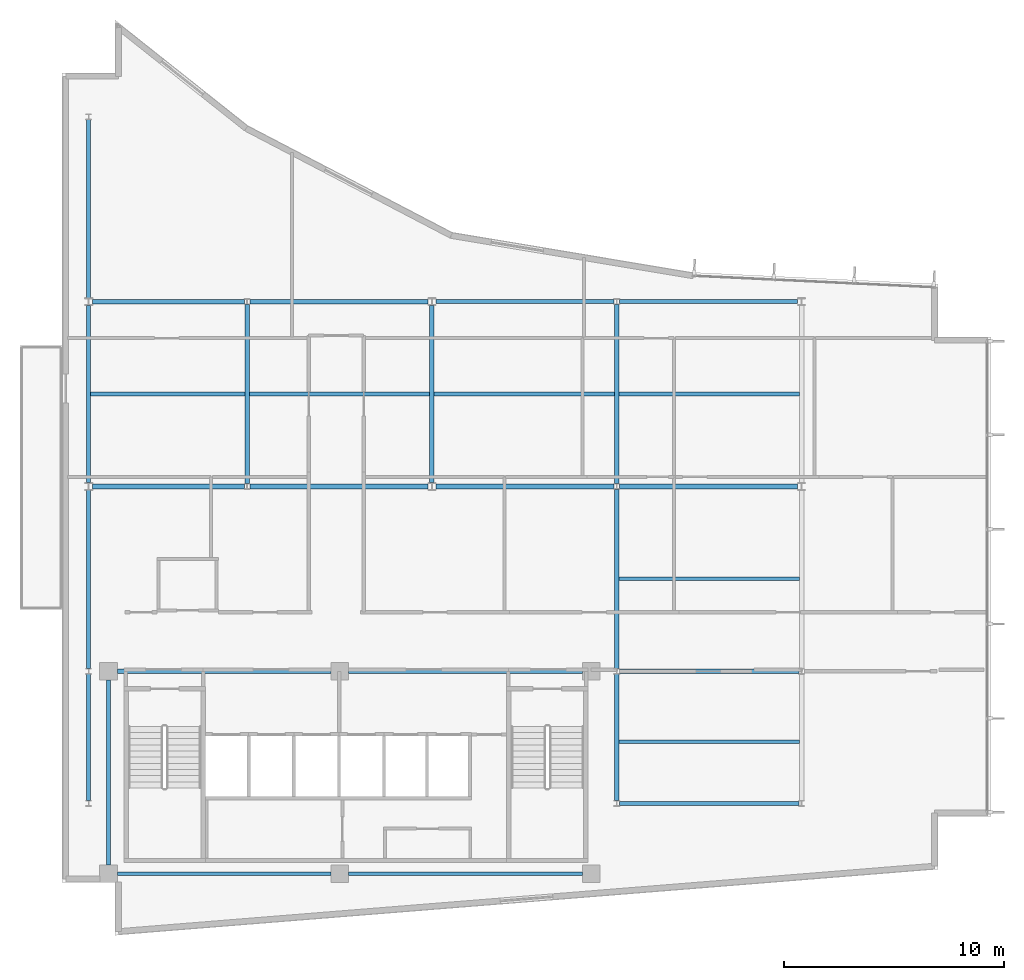
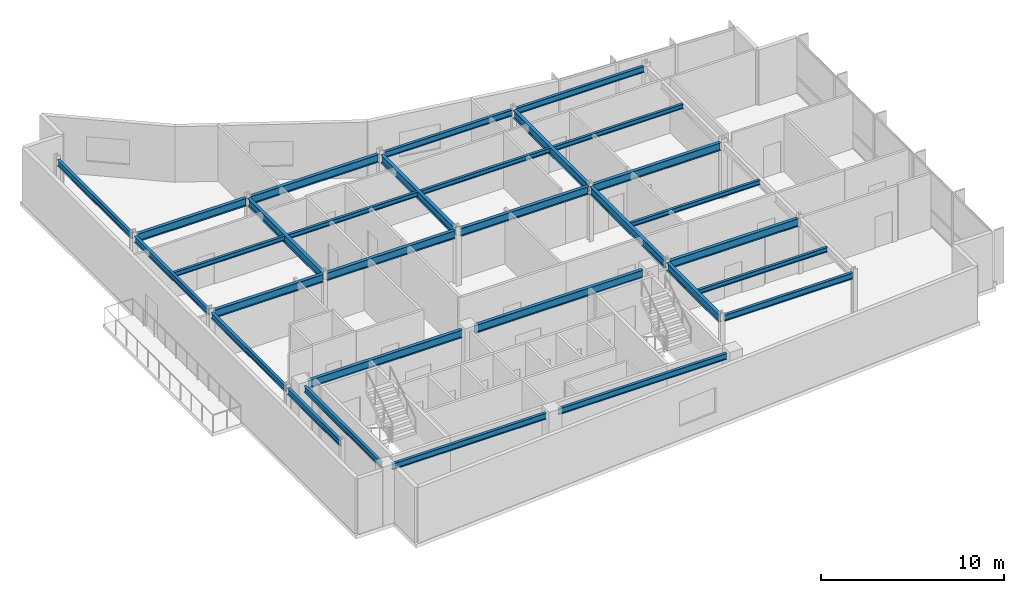
# One storey, part 5 of 16: 30 beams.
"""IFC4 building model written with IfcOpenShell, lengths in metres."""

from ifc_helpers import new_model, si_unit, direction, frame, origin, origin_2d, place, context, subcontext, project, spatial, i_section, extrude, material, material_profile, profile_set, type_object, element, save


model = new_model("IFC4")

# Units and contexts
model_context = context("Model", 3, precision=1e-05, world=origin(), true_north=direction((0.0, 1.0)))
body_context = subcontext(model_context, "Body", "Model", "MODEL_VIEW")
ifc_project = project(units=[si_unit("LENGTHUNIT", "METRE"), si_unit("AREAUNIT", "SQUARE_METRE"), si_unit("VOLUMEUNIT", "CUBIC_METRE"), si_unit("PLANEANGLEUNIT", "RADIAN"), si_unit("MASSUNIT", "GRAM", prefix="KILO")], contexts=[model_context])

# Site, building, storey
site_placement = place(None, origin())
site = spatial("IfcSite", under=ifc_project, at=site_placement, CompositionType="ELEMENT")
building_placement = place(site_placement, origin())
building = spatial("IfcBuilding", under=site, at=building_placement, Name="Varnakote Quay Hospital", CompositionType="ELEMENT")
storey_placement = place(building_placement, frame((0.0, 0.0, 268.39990234375)))
storey = spatial("IfcBuildingStorey", under=building, at=storey_placement, Name="L66", CompositionType="ELEMENT", Elevation=268.39990234375)

# Beams
ifc_material_1 = material(Name="Structural steel AS/NZS 3679.1 Grade 350 L0 (fy 340 MPa)", Category="steel")
ifc_material_profile_1 = material_profile(ifc_material_1, i_section(OverallWidth=0.208984375, OverallDepth=0.528076171875, WebThickness=0.009521484375, FlangeThickness=0.01318359375, FilletRadius=0.013916015625, at=origin_2d()), Name="530UB82.0")
ifc_profile_set_1 = profile_set([ifc_material_profile_1], Name="Structural steel AS/NZS 3679.1 Grade 350 L0 (fy 340 MPa)")
beam_type_1 = type_object("IfcBeamType", Name="BM-STL-530UB82-0", PredefinedType="BEAM", material=ifc_profile_set_1)
beam_1_placement = place(storey_placement, frame((2.5, 12.0, 3.446044921875), z_axis=(1.0, 0.0, 0.0), x_axis=(0.0, 1.0, 0.0)))
element("IfcBeam", 1, at=beam_1_placement, inside=storey, type_object=beam_type_1, Name="L66 Primary Floor Beam", PredefinedType="BEAM", context=body_context, shape_type="SweptSolid", body=[
    extrude(i_section(OverallWidth=0.208984375, OverallDepth=0.528076171875, WebThickness=0.009521484375, FlangeThickness=0.01318359375, FilletRadius=0.013916015625, at=origin_2d()), origin(), (0.0, 0.0, 1.0), 9.719970703125),
])
beam_2_placement = place(storey_placement, frame((13.02001953125, 12.0, 3.446044921875), z_axis=(1.0, 0.0, 0.0), x_axis=(0.0, 1.0, 0.0)))
element("IfcBeam", 2, at=beam_2_placement, inside=storey, type_object=beam_type_1, Name="L66 Primary Floor Beam", PredefinedType="BEAM", context=body_context, shape_type="SweptSolid", body=[
    extrude(i_section(OverallWidth=0.208984375, OverallDepth=0.528076171875, WebThickness=0.009521484375, FlangeThickness=0.01318359375, FilletRadius=0.013916015625, at=origin_2d()), origin(), (0.0, 0.0, 1.0), 10.6298828125),
])
beam_3_placement = place(storey_placement, frame((25.326904296875, 12.0, 3.446044921875), z_axis=(1.0, 0.0, 0.0), x_axis=(0.0, 1.0, 0.0)))
element("IfcBeam", 3, at=beam_3_placement, inside=storey, type_object=beam_type_1, Name="L66 Primary Floor Beam", PredefinedType="BEAM", context=body_context, shape_type="SweptSolid", body=[
    extrude(i_section(OverallWidth=0.208984375, OverallDepth=0.528076171875, WebThickness=0.009521484375, FlangeThickness=0.01318359375, FilletRadius=0.013916015625, at=origin_2d()), origin(), (0.0, 0.0, 1.0), 8.14599609375),
])
beam_4_placement = place(storey_placement, frame((1.375, 20.39990234375, 3.446044921875), z_axis=(1.0, 0.0, 0.0), x_axis=(0.0, 1.0, 0.0)))
element("IfcBeam", 4, at=beam_4_placement, inside=storey, type_object=beam_type_1, Name="L66 Primary Floor Beam", PredefinedType="BEAM", context=body_context, shape_type="SweptSolid", body=[
    extrude(i_section(OverallWidth=0.208984375, OverallDepth=0.528076171875, WebThickness=0.009521484375, FlangeThickness=0.01318359375, FilletRadius=0.013916015625, at=origin_2d()), origin(), (0.0, 0.0, 1.0), 6.89794921875),
])
for number, where, z_axis, x_axis, name in (
    (5, (8.527099609375, 20.39990234375, 3.446044921875), (1.0, 0.0, 0.0), (0.0, 1.0, 0.0), "L66 Primary Floor Beam"),
    (6, (16.97509765625, 20.39990234375, 3.446044921875), (1.0, 0.0, 0.0), (0.0, 1.0, 0.0), "L66 Primary Floor Beam"),
):
    element("IfcBeam", number, at=place(storey_placement, frame(where, z_axis=z_axis, x_axis=x_axis)), inside=storey, type_object=beam_type_1, Name=name, PredefinedType="BEAM", context=body_context, shape_type="SweptSolid", body=[
        extrude(i_section(OverallWidth=0.208984375, OverallDepth=0.528076171875, WebThickness=0.009521484375, FlangeThickness=0.01318359375, FilletRadius=0.013916015625, at=origin_2d()), origin(), (0.0, 0.0, 1.0), 8.097900390625),
    ])
beam_5_placement = place(storey_placement, frame((25.326904296875, 20.39990234375, 3.446044921875), z_axis=(1.0, 0.0, 0.0), x_axis=(0.0, 1.0, 0.0)))
element("IfcBeam", 7, at=beam_5_placement, inside=storey, type_object=beam_type_1, Name="L66 Primary Floor Beam", PredefinedType="BEAM", context=body_context, shape_type="SweptSolid", body=[
    extrude(i_section(OverallWidth=0.208984375, OverallDepth=0.528076171875, WebThickness=0.009521484375, FlangeThickness=0.01318359375, FilletRadius=0.013916015625, at=origin_2d()), origin(), (0.0, 0.0, 1.0), 8.09814453125),
])
beam_6_placement = place(storey_placement, frame((1.375, 28.800048828125, 3.446044921875), z_axis=(1.0, 0.0, 0.0), x_axis=(0.0, 1.0, 0.0)))
element("IfcBeam", 8, at=beam_6_placement, inside=storey, type_object=beam_type_1, Name="L66 Primary Floor Beam", PredefinedType="BEAM", context=body_context, shape_type="SweptSolid", body=[
    extrude(i_section(OverallWidth=0.208984375, OverallDepth=0.528076171875, WebThickness=0.009521484375, FlangeThickness=0.01318359375, FilletRadius=0.013916015625, at=origin_2d()), origin(), (0.0, 0.0, 1.0), 6.89794921875),
])
beam_7_placement = place(storey_placement, frame((8.527099609375, 28.800048828125, 3.446044921875), z_axis=(1.0, 0.0, 0.0), x_axis=(0.0, 1.0, 0.0)))
element("IfcBeam", 9, at=beam_7_placement, inside=storey, type_object=beam_type_1, Name="L66 Primary Floor Beam", PredefinedType="BEAM", context=body_context, shape_type="SweptSolid", body=[
    extrude(i_section(OverallWidth=0.208984375, OverallDepth=0.528076171875, WebThickness=0.009521484375, FlangeThickness=0.01318359375, FilletRadius=0.013916015625, at=origin_2d()), origin(), (0.0, 0.0, 1.0), 8.097900390625),
])
beam_8_placement = place(storey_placement, frame((8.39990234375, 20.527099609375, 3.446044921875), z_axis=(0.0, 1.0, 0.0), x_axis=(-1.0, 0.0, 0.0)))
element("IfcBeam", 10, at=beam_8_placement, inside=storey, type_object=beam_type_1, Name="L66 Primary Tie Beam", PredefinedType="BEAM", context=body_context, shape_type="SweptSolid", body=[
    extrude(i_section(OverallWidth=0.208984375, OverallDepth=0.528076171875, WebThickness=0.009521484375, FlangeThickness=0.01318359375, FilletRadius=0.013916015625, at=origin_2d()), origin(), (0.0, 0.0, 1.0), 8.14599609375),
])
beam_9_placement = place(storey_placement, frame((16.800048828125, 20.570068359375, 3.446044921875), z_axis=(0.0, 1.0, 0.0), x_axis=(-1.0, 0.0, 0.0)))
element("IfcBeam", 11, at=beam_9_placement, inside=storey, type_object=beam_type_1, Name="L66 Primary Tie Beam", PredefinedType="BEAM", context=body_context, shape_type="SweptSolid", body=[
    extrude(i_section(OverallWidth=0.208984375, OverallDepth=0.528076171875, WebThickness=0.009521484375, FlangeThickness=0.01318359375, FilletRadius=0.013916015625, at=origin_2d()), origin(), (0.0, 0.0, 1.0), 8.059814453125),
])
beam_10_placement = place(storey_placement, frame((25.199951171875, 6.126953125, 3.446044921875), z_axis=(0.0, 1.0, 0.0), x_axis=(-1.0, 0.0, 0.0)))
element("IfcBeam", 12, at=beam_10_placement, inside=storey, type_object=beam_type_1, Name="L66 Primary Tie Beam", PredefinedType="BEAM", context=body_context, shape_type="SweptSolid", body=[
    extrude(i_section(OverallWidth=0.208984375, OverallDepth=0.528076171875, WebThickness=0.009521484375, FlangeThickness=0.01318359375, FilletRadius=0.013916015625, at=origin_2d()), origin(), (0.0, 0.0, 1.0), 5.74609375),
])
for number, where, z_axis, x_axis, name in (
    (13, (25.199951171875, 12.126953125, 3.446044921875), (0.0, 1.0, 0.0), (-1.0, 0.0, 0.0), "L66 Primary Tie Beam"),
    (14, (25.199951171875, 20.527099609375, 3.446044921875), (0.0, 1.0, 0.0), (-1.0, 0.0, 0.0), "L66 Primary Tie Beam"),
):
    element("IfcBeam", number, at=place(storey_placement, frame(where, z_axis=z_axis, x_axis=x_axis)), inside=storey, type_object=beam_type_1, Name=name, PredefinedType="BEAM", context=body_context, shape_type="SweptSolid", body=[
        extrude(i_section(OverallWidth=0.208984375, OverallDepth=0.528076171875, WebThickness=0.009521484375, FlangeThickness=0.01318359375, FilletRadius=0.013916015625, at=origin_2d()), origin(), (0.0, 0.0, 1.0), 8.14599609375),
    ])
ifc_material_2 = material(Name="Structural steel AS/NZS 3679.1 Grade 350 L0 (fy 340 MPa)", Category="steel")
ifc_material_profile_2 = material_profile(ifc_material_2, i_section(OverallWidth=0.166015625, OverallDepth=0.306884765625, WebThickness=0.006591796875, FlangeThickness=0.01171875, FilletRadius=0.011474609375, at=origin_2d()), Name="310UB46.2")
ifc_profile_set_2 = profile_set([ifc_material_profile_2], Name="Structural steel AS/NZS 3679.1 Grade 350 L0 (fy 340 MPa)")
beam_type_2 = type_object("IfcBeamType", Name="JST-STL-310UB46-2", PredefinedType="JOIST", material=ifc_profile_set_2)
for number, where, z_axis, x_axis, name in (
    (15, (25.304443359375, 8.800048828125, 3.556640625), (1.0, 0.0, 0.0), (0.0, 1.0, 0.0), "L66 Composite Floor Joist"),
    (16, (25.304443359375, 16.199951171875, 3.556640625), (1.0, 0.0, 0.0), (0.0, 1.0, 0.0), "L66 Composite Floor Joist"),
):
    element("IfcBeam", number, at=place(storey_placement, frame(where, z_axis=z_axis, x_axis=x_axis)), inside=storey, type_object=beam_type_2, Name=name, PredefinedType="JOIST", context=body_context, shape_type="SweptSolid", body=[
        extrude(i_section(OverallWidth=0.166015625, OverallDepth=0.306884765625, WebThickness=0.006591796875, FlangeThickness=0.01171875, FilletRadius=0.011474609375, at=origin_2d()), origin(), (0.0, 0.0, 1.0), 8.191162109375),
    ])
beam_11_placement = place(storey_placement, frame((1.2890625, 24.60009765625, 3.556640625), z_axis=(1.0, 0.0, 0.0), x_axis=(0.0, 1.0, 0.0)))
element("IfcBeam", 17, at=beam_11_placement, inside=storey, type_object=beam_type_2, Name="L66 Composite Floor Joist", PredefinedType="JOIST", context=body_context, shape_type="SweptSolid", body=[
    extrude(i_section(OverallWidth=0.166015625, OverallDepth=0.306884765625, WebThickness=0.006591796875, FlangeThickness=0.01171875, FilletRadius=0.011474609375, at=origin_2d()), origin(), (0.0, 0.0, 1.0), 7.00634765625),
])
beam_12_placement = place(storey_placement, frame((8.50439453125, 24.60009765625, 3.556640625), z_axis=(1.0, 0.0, 0.0), x_axis=(0.0, 1.0, 0.0)))
element("IfcBeam", 18, at=beam_12_placement, inside=storey, type_object=beam_type_2, Name="L66 Composite Floor Joist", PredefinedType="JOIST", context=body_context, shape_type="SweptSolid", body=[
    extrude(i_section(OverallWidth=0.166015625, OverallDepth=0.306884765625, WebThickness=0.006591796875, FlangeThickness=0.01171875, FilletRadius=0.011474609375, at=origin_2d()), origin(), (0.0, 0.0, 1.0), 8.191162109375),
])
beam_13_placement = place(storey_placement, frame((16.904541015625, 24.60009765625, 3.556640625), z_axis=(1.0, 0.0, 0.0), x_axis=(0.0, 1.0, 0.0)))
element("IfcBeam", 19, at=beam_13_placement, inside=storey, type_object=beam_type_2, Name="L66 Composite Floor Joist", PredefinedType="JOIST", context=body_context, shape_type="SweptSolid", body=[
    extrude(i_section(OverallWidth=0.166015625, OverallDepth=0.306884765625, WebThickness=0.006591796875, FlangeThickness=0.01171875, FilletRadius=0.011474609375, at=origin_2d()), origin(), (0.0, 0.0, 1.0), 8.19091796875),
])
beam_14_placement = place(storey_placement, frame((25.304443359375, 24.60009765625, 3.556640625), z_axis=(1.0, 0.0, 0.0), x_axis=(0.0, 1.0, 0.0)))
element("IfcBeam", 20, at=beam_14_placement, inside=storey, type_object=beam_type_2, Name="L66 Composite Floor Joist", PredefinedType="JOIST", context=body_context, shape_type="SweptSolid", body=[
    extrude(i_section(OverallWidth=0.166015625, OverallDepth=0.306884765625, WebThickness=0.006591796875, FlangeThickness=0.01171875, FilletRadius=0.011474609375, at=origin_2d()), origin(), (0.0, 0.0, 1.0), 8.191162109375),
])
ifc_material_3 = material(Name="Structural steel AS/NZS 3679.1 Grade 350 L0 (fy 340 MPa)", Category="steel")
ifc_material_profile_3 = material_profile(ifc_material_3, i_section(OverallWidth=0.177978515625, OverallDepth=0.403076171875, WebThickness=0.007568359375, FlangeThickness=0.010986328125, FilletRadius=0.011474609375, at=origin_2d()), Name="410UB53.7")
ifc_profile_set_3 = profile_set([ifc_material_profile_3], Name="Structural steel AS/NZS 3679.1 Grade 350 L0 (fy 340 MPa)")
beam_type_3 = type_object("IfcBeamType", Name="SPN-STL-410UB53-7", PredefinedType="SPANDREL", material=ifc_profile_set_3)
beam_15_placement = place(storey_placement, frame((1.199951171875, 6.126953125, 3.508544921875), z_axis=(0.0, 1.0, 0.0), x_axis=(-1.0, 0.0, 0.0)))
element("IfcBeam", 21, at=beam_15_placement, inside=storey, type_object=beam_type_3, Name="L66 Perimeter Spandrel Beam", PredefinedType="SPANDREL", context=body_context, shape_type="SweptSolid", body=[
    extrude(i_section(OverallWidth=0.177978515625, OverallDepth=0.403076171875, WebThickness=0.007568359375, FlangeThickness=0.010986328125, FilletRadius=0.011474609375, at=origin_2d()), origin(), (0.0, 0.0, 1.0), 5.74609375),
])
beam_16_placement = place(storey_placement, frame((1.199951171875, 12.126953125, 3.508544921875), z_axis=(0.0, 1.0, 0.0), x_axis=(-1.0, 0.0, 0.0)))
element("IfcBeam", 22, at=beam_16_placement, inside=storey, type_object=beam_type_3, Name="L66 Perimeter Spandrel Beam", PredefinedType="SPANDREL", context=body_context, shape_type="SweptSolid", body=[
    extrude(i_section(OverallWidth=0.177978515625, OverallDepth=0.403076171875, WebThickness=0.007568359375, FlangeThickness=0.010986328125, FilletRadius=0.011474609375, at=origin_2d()), origin(), (0.0, 0.0, 1.0), 8.10302734375),
])
beam_17_placement = place(storey_placement, frame((1.199951171875, 20.570068359375, 3.508544921875), z_axis=(0.0, 1.0, 0.0), x_axis=(-1.0, 0.0, 0.0)))
element("IfcBeam", 23, at=beam_17_placement, inside=storey, type_object=beam_type_3, Name="L66 Perimeter Spandrel Beam", PredefinedType="SPANDREL", context=body_context, shape_type="SweptSolid", body=[
    extrude(i_section(OverallWidth=0.177978515625, OverallDepth=0.403076171875, WebThickness=0.007568359375, FlangeThickness=0.010986328125, FilletRadius=0.011474609375, at=origin_2d()), origin(), (0.0, 0.0, 1.0), 8.059814453125),
])
beam_18_placement = place(storey_placement, frame((1.199951171875, 28.969970703125, 3.508544921875), z_axis=(0.0, 1.0, 0.0), x_axis=(-1.0, 0.0, 0.0)))
element("IfcBeam", 24, at=beam_18_placement, inside=storey, type_object=beam_type_3, Name="L66 Perimeter Spandrel Beam", PredefinedType="SPANDREL", context=body_context, shape_type="SweptSolid", body=[
    extrude(i_section(OverallWidth=0.177978515625, OverallDepth=0.403076171875, WebThickness=0.007568359375, FlangeThickness=0.010986328125, FilletRadius=0.011474609375, at=origin_2d()), origin(), (0.0, 0.0, 1.0), 8.10302734375),
])
beam_19_placement = place(storey_placement, frame((2.10009765625, 3.199951171875, 3.508544921875), z_axis=(0.0, 1.0, 0.0), x_axis=(-1.0, 0.0, 0.0)))
element("IfcBeam", 25, at=beam_19_placement, inside=storey, type_object=beam_type_3, Name="L66 Perimeter Spandrel Beam", PredefinedType="SPANDREL", context=body_context, shape_type="SweptSolid", body=[
    extrude(i_section(OverallWidth=0.177978515625, OverallDepth=0.403076171875, WebThickness=0.007568359375, FlangeThickness=0.010986328125, FilletRadius=0.011474609375, at=origin_2d()), origin(), (0.0, 0.0, 1.0), 8.400146484375),
])
ifc_material_4 = material(Name="Structural steel AS/NZS 3679.1 Grade 350 L0 (fy 340 MPa)", Category="steel")
ifc_material_profile_4 = material_profile(ifc_material_4, i_section(OverallWidth=0.177978515625, OverallDepth=0.406005859375, WebThickness=0.0078125, FlangeThickness=0.0126953125, FilletRadius=0.011474609375, at=origin_2d()), Name="410UB59.7")
ifc_profile_set_4 = profile_set([ifc_material_profile_4], Name="Structural steel AS/NZS 3679.1 Grade 350 L0 (fy 340 MPa)")
beam_type_4 = type_object("IfcBeamType", Name="SPN-STL-410UB59-7", PredefinedType="SPANDREL", material=ifc_profile_set_4)
beam_20_placement = place(storey_placement, frame((2.5, 2.800048828125, 3.507080078125), z_axis=(1.0, 0.0, 0.0), x_axis=(0.0, 1.0, 0.0)))
element("IfcBeam", 26, at=beam_20_placement, inside=storey, type_object=beam_type_4, Name="L66 Perimeter Spandrel Beam", PredefinedType="SPANDREL", context=body_context, shape_type="SweptSolid", body=[
    extrude(i_section(OverallWidth=0.177978515625, OverallDepth=0.406005859375, WebThickness=0.0078125, FlangeThickness=0.0126953125, FilletRadius=0.011474609375, at=origin_2d()), origin(), (0.0, 0.0, 1.0), 9.719970703125),
])
beam_21_placement = place(storey_placement, frame((13.02001953125, 2.800048828125, 3.507080078125), z_axis=(1.0, 0.0, 0.0), x_axis=(0.0, 1.0, 0.0)))
element("IfcBeam", 27, at=beam_21_placement, inside=storey, type_object=beam_type_4, Name="L66 Perimeter Spandrel Beam", PredefinedType="SPANDREL", context=body_context, shape_type="SweptSolid", body=[
    extrude(i_section(OverallWidth=0.177978515625, OverallDepth=0.406005859375, WebThickness=0.0078125, FlangeThickness=0.0126953125, FilletRadius=0.011474609375, at=origin_2d()), origin(), (0.0, 0.0, 1.0), 10.6298828125),
])
beam_22_placement = place(storey_placement, frame((25.326904296875, 6.0, 3.507080078125), z_axis=(1.0, 0.0, 0.0), x_axis=(0.0, 1.0, 0.0)))
element("IfcBeam", 28, at=beam_22_placement, inside=storey, type_object=beam_type_4, Name="L66 Perimeter Spandrel Beam", PredefinedType="SPANDREL", context=body_context, shape_type="SweptSolid", body=[
    extrude(i_section(OverallWidth=0.177978515625, OverallDepth=0.406005859375, WebThickness=0.0078125, FlangeThickness=0.0126953125, FilletRadius=0.011474609375, at=origin_2d()), origin(), (0.0, 0.0, 1.0), 8.14599609375),
])
beam_23_placement = place(storey_placement, frame((16.97509765625, 28.800048828125, 3.507080078125), z_axis=(1.0, 0.0, 0.0), x_axis=(0.0, 1.0, 0.0)))
element("IfcBeam", 29, at=beam_23_placement, inside=storey, type_object=beam_type_4, Name="L66 Perimeter Spandrel Beam", PredefinedType="SPANDREL", context=body_context, shape_type="SweptSolid", body=[
    extrude(i_section(OverallWidth=0.177978515625, OverallDepth=0.406005859375, WebThickness=0.0078125, FlangeThickness=0.0126953125, FilletRadius=0.011474609375, at=origin_2d()), origin(), (0.0, 0.0, 1.0), 8.097900390625),
])
beam_24_placement = place(storey_placement, frame((25.326904296875, 28.800048828125, 3.507080078125), z_axis=(1.0, 0.0, 0.0), x_axis=(0.0, 1.0, 0.0)))
element("IfcBeam", 30, at=beam_24_placement, inside=storey, type_object=beam_type_4, Name="L66 Perimeter Spandrel Beam", PredefinedType="SPANDREL", context=body_context, shape_type="SweptSolid", body=[
    extrude(i_section(OverallWidth=0.177978515625, OverallDepth=0.406005859375, WebThickness=0.0078125, FlangeThickness=0.0126953125, FilletRadius=0.011474609375, at=origin_2d()), origin(), (0.0, 0.0, 1.0), 8.09814453125),
])

save(model, "model.ifc")
